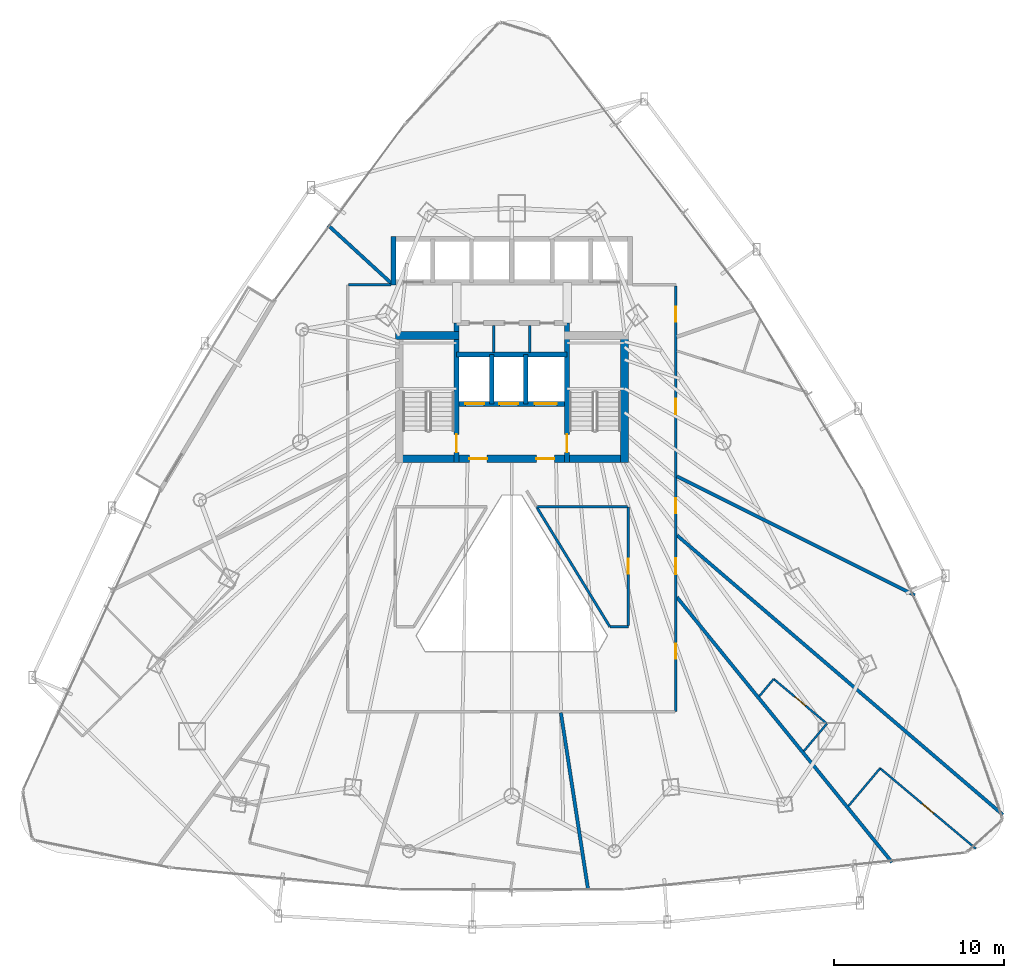
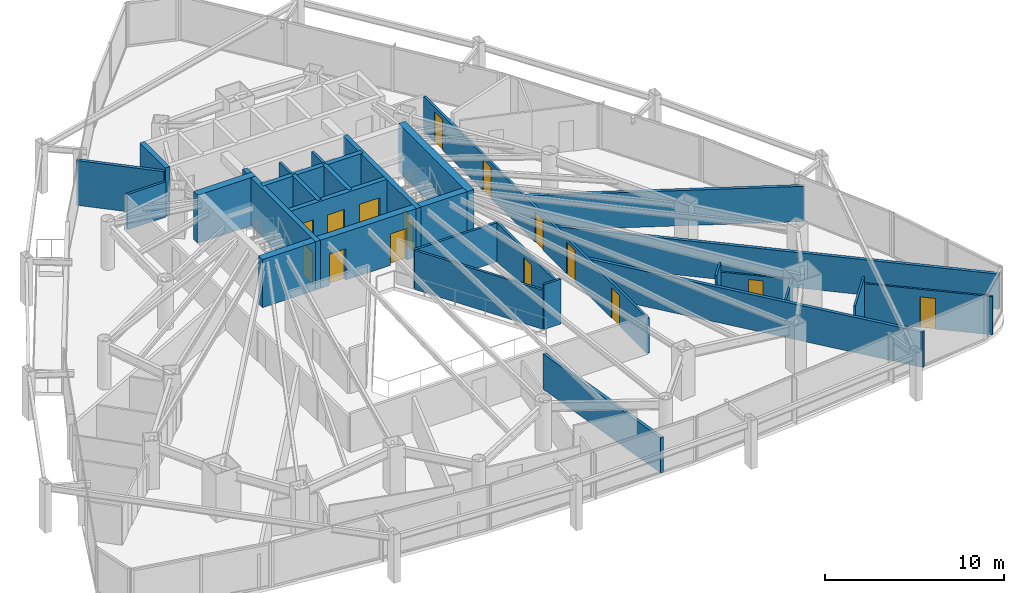
# One storey, part 30 of 35: 28 walls, 15 doors, 15 openings.
"""IFC4 building model written with IfcOpenShell, lengths in metres."""

from ifc_helpers import new_model, si_unit, direction, frame, frame_2d, origin, place, context, subcontext, project, spatial, rectangle, extrude, material, layer, layer_set, type_object, element, fill, save


model = new_model("IFC4")

# Units and contexts
model_context = context("Model", 3, precision=1e-05, world=origin(), true_north=direction((0.0, 1.0)))
body_context = subcontext(model_context, "Body", "Model", "MODEL_VIEW")
ifc_project = project(units=[si_unit("LENGTHUNIT", "METRE"), si_unit("AREAUNIT", "SQUARE_METRE"), si_unit("VOLUMEUNIT", "CUBIC_METRE"), si_unit("PLANEANGLEUNIT", "RADIAN"), si_unit("MASSUNIT", "GRAM", prefix="KILO")], contexts=[model_context])

# Site, building, storey
site_placement = place(None, origin())
site = spatial("IfcSite", under=ifc_project, at=site_placement, CompositionType="ELEMENT")
building_placement = place(site_placement, origin())
building = spatial("IfcBuilding", under=site, at=building_placement, Name="Orvanel Arch Residences", CompositionType="ELEMENT")
storey_placement = place(building_placement, frame((0.0, 0.0, 36.800048828125)))
storey = spatial("IfcBuildingStorey", under=building, at=storey_placement, Name="L09", CompositionType="ELEMENT", Elevation=36.800048828125)

# Walls
ifc_material_1 = material(Name="Concrete N50 (50 MPa)", Category="concrete")
ifc_layer_1 = layer(ifc_material_1, 0.25)
ifc_layer_set_1 = layer_set([ifc_layer_1], Name="Concrete N50 (50 MPa)")
wall_type_1 = type_object("IfcWallType", Name="SW-CORE-250", PredefinedType="SHEAR", material=ifc_layer_set_1)
for number, where, z_axis, x_axis, name in (
    (1, (31.824951171875, 29.89990234375, 0.0), (0.0, 0.0, 1.0), (0.0, 1.0, 0.0), "L09 Emergency Lift Inter-Shaft Wall F12"),
    (2, (33.824951171875, 29.89990234375, 0.0), (0.0, 0.0, 1.0), (0.0, 1.0, 0.0), "L09 Emergency Lift Inter-Shaft Wall F2G"),
):
    element("IfcWall", number, at=place(storey_placement, frame(where, z_axis=z_axis, x_axis=x_axis)), inside=storey, type_object=wall_type_1, Name=name, PredefinedType="SHEAR", context=body_context, shape_type="SweptSolid", body=[
        extrude(rectangle(XDim=2.900146484375, YDim=0.25, at=frame_2d((1.4501953125, 0.0))), origin(), (0.0, 0.0, 1.0), 3.300048828125),
    ])

# Wall, opening, door
ifc_material_2 = material(Name="Concrete S80 (80 MPa)", Category="concrete")
ifc_layer_2 = layer(ifc_material_2, 0.300048828125)
ifc_layer_set_2 = layer_set([ifc_layer_2], Name="Concrete S80 (80 MPa)")
wall_type_2 = type_object("IfcWallType", Name="SW-CORE-300", PredefinedType="SHEAR", material=ifc_layer_set_2)
wall_1_placement = place(storey_placement, frame((29.75, 26.449951171875, 0.0), z_axis=(0.0, 0.0, 1.0), x_axis=(0.0, 1.0, 0.0)))
wall_1 = element("IfcWall", 3, at=wall_1_placement, inside=storey, type_object=wall_type_2, Name="L09 West Inner Core Spine Shear Wall", PredefinedType="SHEAR", context=body_context, shape_type="SweptSolid", body=[
    extrude(rectangle(XDim=8.199951171875, YDim=0.300048828125, at=frame_2d((4.10009765625, 0.0))), origin(), (0.0, 0.0, 1.0), 3.300048828125),
])
opening_1_placement = place(wall_1_placement, frame((0.60009765625, 0.0, 0.0)))
opening_1 = element("IfcOpeningElement", 4, at=opening_1_placement, cuts=wall_1, Name="Opening DF-120", PredefinedType="OPENING", context=body_context, shape_type="SweptSolid", body=[
    extrude(rectangle(XDim=1.050048828125, YDim=2.14990234375, at=frame_2d((0.52490234375, 1.074951171875))), frame((0.0, 0.159912109375, 0.0), z_axis=(0.0, -1.0, 0.0), x_axis=(1.0, 0.0, 0.0)), (0.0, 0.0, 1.0), 0.320068359375),
])
ifc_material_3 = material(Name="Galvanised steel fire-resisting door assembly", Category="steel")
door_type_1 = type_object("IfcDoorType", Name="DR-FD120-1050", OperationType="NOTDEFINED", PredefinedType="DOOR", material=ifc_material_3)
door_1_placement = place(opening_1_placement, origin())
door_1 = element("IfcDoor", 5, at=door_1_placement, inside=storey, type_object=door_type_1, Name="DR-L09-ST1 L09 Stair 1 Fire Door", OperationType="SINGLE_SWING_LEFT", OverallHeight=2.14990234375, OverallWidth=1.050048828125, PredefinedType="DOOR", context=body_context, shape_type="SweptSolid", body=[
    extrude(rectangle(XDim=1.050048828125, YDim=2.14990234375, at=frame_2d((0.52490234375, 1.074951171875))), frame((0.0, 0.02490234375, 0.0), z_axis=(0.0, -1.0, 0.0), x_axis=(1.0, 0.0, 0.0)), (0.0, 0.0, 1.0), 0.050048828125),
])
fill(opening_1, door_1)

wall_2_placement = place(storey_placement, frame((36.25, 26.449951171875, 0.0), z_axis=(0.0, 0.0, 1.0), x_axis=(0.0, 1.0, 0.0)))
wall_2 = element("IfcWall", 6, at=wall_2_placement, inside=storey, type_object=wall_type_2, Name="L09 East Inner Core Spine Shear Wall", PredefinedType="SHEAR", context=body_context, shape_type="SweptSolid", body=[
    extrude(rectangle(XDim=8.199951171875, YDim=0.300048828125, at=frame_2d((4.10009765625, 0.0))), origin(), (0.0, 0.0, 1.0), 3.300048828125),
])
opening_2_placement = place(wall_2_placement, frame((0.60009765625, 0.0, 0.0)))
opening_2 = element("IfcOpeningElement", 7, at=opening_2_placement, cuts=wall_2, Name="Opening DF-120", PredefinedType="OPENING", context=body_context, shape_type="SweptSolid", body=[
    extrude(rectangle(XDim=1.050048828125, YDim=2.14990234375, at=frame_2d((0.52490234375, 1.074951171875))), frame((0.0, 0.159912109375, 0.0), z_axis=(0.0, -1.0, 0.0), x_axis=(1.0, 0.0, 0.0)), (0.0, 0.0, 1.0), 0.320068359375),
])
door_2_placement = place(opening_2_placement, origin())
door_2 = element("IfcDoor", 8, at=door_2_placement, inside=storey, type_object=door_type_1, Name="DR-L09-ST2 L09 Stair 2 Fire Door", OperationType="SINGLE_SWING_RIGHT", OverallHeight=2.14990234375, OverallWidth=1.050048828125, PredefinedType="DOOR", context=body_context, shape_type="SweptSolid", body=[
    extrude(rectangle(XDim=1.050048828125, YDim=2.14990234375, at=frame_2d((0.52490234375, 1.074951171875))), frame((0.0, 0.02490234375, 0.0), z_axis=(0.0, -1.0, 0.0), x_axis=(1.0, 0.0, 0.0)), (0.0, 0.0, 1.0), 0.050048828125),
])
fill(opening_2, door_2)

# Wall, openings, doors
wall_3_placement = place(storey_placement, frame((36.25, 29.89990234375, 0.0), z_axis=(0.0, 0.0, 1.0), x_axis=(-1.0, 0.0, 0.0)))
wall_3 = element("IfcWall", 9, at=wall_3_placement, inside=storey, type_object=wall_type_2, Name="L09 Emergency Lift Front Core Shear Wall", PredefinedType="SHEAR", context=body_context, shape_type="SweptSolid", body=[
    extrude(rectangle(XDim=6.5, YDim=0.300048828125, at=frame_2d((3.25, 0.0))), origin(), (0.0, 0.0, 1.0), 3.300048828125),
])
opening_3_placement = place(wall_3_placement, frame((4.875, 0.0, 0.0)))
opening_3 = element("IfcOpeningElement", 10, at=opening_3_placement, cuts=wall_3, Name="Opening LD-110", PredefinedType="OPENING", context=body_context, shape_type="SweptSolid", body=[
    extrude(rectangle(XDim=1.10009765625, YDim=2.199951171875, at=frame_2d((0.550048828125, 1.10009765625))), frame((0.0, 0.159912109375, 0.0), z_axis=(0.0, -1.0, 0.0), x_axis=(1.0, 0.0, 0.0)), (0.0, 0.0, 1.0), 0.320068359375),
])
opening_4_placement = place(wall_3_placement, frame((2.875, 0.0, 0.0)))
opening_4 = element("IfcOpeningElement", 11, at=opening_4_placement, cuts=wall_3, Name="Opening LD-110", PredefinedType="OPENING", context=body_context, shape_type="SweptSolid", body=[
    extrude(rectangle(XDim=1.10009765625, YDim=2.199951171875, at=frame_2d((0.550048828125, 1.10009765625))), frame((0.0, 0.159912109375, 0.0), z_axis=(0.0, -1.0, 0.0), x_axis=(1.0, 0.0, 0.0)), (0.0, 0.0, 1.0), 0.320068359375),
])
opening_5_placement = place(wall_3_placement, frame((0.60009765625, 0.0, 0.0)))
opening_5 = element("IfcOpeningElement", 12, at=opening_5_placement, cuts=wall_3, Name="Opening LD-130", PredefinedType="OPENING", context=body_context, shape_type="SweptSolid", body=[
    extrude(rectangle(XDim=1.300048828125, YDim=2.199951171875, at=frame_2d((0.64990234375, 1.10009765625))), frame((0.0, 0.159912109375, 0.0), z_axis=(0.0, -1.0, 0.0), x_axis=(1.0, 0.0, 0.0)), (0.0, 0.0, 1.0), 0.320068359375),
])
door_type_2 = type_object("IfcDoorType", Name="DR-LFT-1100", OperationType="NOTDEFINED", PredefinedType="DOOR", material=ifc_material_3)
door_3_placement = place(opening_3_placement, origin())
door_3 = element("IfcDoor", 13, at=door_3_placement, inside=storey, type_object=door_type_2, Name="LD-F1-L09 L09 Lift F1 Sliding Landing Door", OperationType="DOUBLE_DOOR_SLIDING", OverallHeight=2.199951171875, OverallWidth=1.10009765625, PredefinedType="DOOR", context=body_context, shape_type="SweptSolid", body=[
    extrude(rectangle(XDim=1.10009765625, YDim=2.199951171875, at=frame_2d((0.550048828125, 1.10009765625))), frame((0.0, 0.02490234375, 0.0), z_axis=(0.0, -1.0, 0.0), x_axis=(1.0, 0.0, 0.0)), (0.0, 0.0, 1.0), 0.050048828125),
])
fill(opening_3, door_3)
door_4_placement = place(opening_4_placement, origin())
door_4 = element("IfcDoor", 14, at=door_4_placement, inside=storey, type_object=door_type_2, Name="LD-F2-L09 L09 Lift F2 Sliding Landing Door", OperationType="DOUBLE_DOOR_SLIDING", OverallHeight=2.199951171875, OverallWidth=1.10009765625, PredefinedType="DOOR", context=body_context, shape_type="SweptSolid", body=[
    extrude(rectangle(XDim=1.10009765625, YDim=2.199951171875, at=frame_2d((0.550048828125, 1.10009765625))), frame((0.0, 0.02490234375, 0.0), z_axis=(0.0, -1.0, 0.0), x_axis=(1.0, 0.0, 0.0)), (0.0, 0.0, 1.0), 0.050048828125),
])
fill(opening_4, door_4)
door_type_3 = type_object("IfcDoorType", Name="DR-LFT-1300", OperationType="NOTDEFINED", PredefinedType="DOOR", material=ifc_material_3)
door_5_placement = place(opening_5_placement, origin())
door_5 = element("IfcDoor", 15, at=door_5_placement, inside=storey, type_object=door_type_3, Name="LD-G1-L09 L09 Lift G1 Sliding Landing Door", OperationType="DOUBLE_DOOR_SLIDING", OverallHeight=2.199951171875, OverallWidth=1.300048828125, PredefinedType="DOOR", context=body_context, shape_type="SweptSolid", body=[
    extrude(rectangle(XDim=1.300048828125, YDim=2.199951171875, at=frame_2d((0.64990234375, 1.10009765625))), frame((0.0, 0.02490234375, 0.0), z_axis=(0.0, -1.0, 0.0), x_axis=(1.0, 0.0, 0.0)), (0.0, 0.0, 1.0), 0.050048828125),
])
fill(opening_5, door_5)

# Walls
wall_4_placement = place(storey_placement, frame((29.75, 32.800048828125, 0.0), z_axis=(0.0, 0.0, 1.0), x_axis=(1.0, 0.0, 0.0)))
element("IfcWall", 16, at=wall_4_placement, inside=storey, type_object=wall_type_2, Name="L09 Emergency Lift Back Core Shear Wall", PredefinedType="SHEAR", context=body_context, shape_type="SweptSolid", body=[
    extrude(rectangle(XDim=6.5, YDim=0.300048828125, at=frame_2d((3.25, 0.0))), origin(), (0.0, 0.0, 1.0), 3.300048828125),
])
wall_5_placement = place(storey_placement, frame((26.050048828125, 36.89990234375, 0.0), z_axis=(0.0, 0.0, 1.0), x_axis=(0.0, 1.0, 0.0)))
element("IfcWall", 17, at=wall_5_placement, inside=storey, type_object=wall_type_2, Name="L09 Passenger Lift Bank West Shear Wall", PredefinedType="SHEAR", context=body_context, shape_type="SweptSolid", body=[
    extrude(rectangle(XDim=2.85009765625, YDim=0.300048828125, at=frame_2d((1.425048828125, 0.0))), origin(), (0.0, 0.0, 1.0), 3.300048828125),
])

# Wall, openings, doors
ifc_layer_3 = layer(ifc_material_2, 0.449951171875)
ifc_layer_set_3 = layer_set([ifc_layer_3], Name="Concrete S80 (80 MPa)")
wall_type_3 = type_object("IfcWallType", Name="SW-CORE-450", PredefinedType="SHEAR", material=ifc_layer_set_3)
wall_6_placement = place(storey_placement, frame((26.14990234375, 26.675048828125, 0.0), z_axis=(0.0, 0.0, 1.0), x_axis=(1.0, 0.0, 0.0)))
wall_6 = element("IfcWall", 18, at=wall_6_placement, inside=storey, type_object=wall_type_3, Name="L09 South Core Shear Wall", PredefinedType="SHEAR", context=body_context, shape_type="SweptSolid", body=[
    extrude(rectangle(XDim=13.7001953125, YDim=0.449951171875, at=frame_2d((6.85009765625, 0.0))), origin(), (0.0, 0.0, 1.0), 3.300048828125),
])
opening_6_placement = place(wall_6_placement, frame((4.35009765625, 0.0, 0.0)))
opening_6 = element("IfcOpeningElement", 19, at=opening_6_placement, cuts=wall_6, Name="Opening DF-060", PredefinedType="OPENING", context=body_context, shape_type="SweptSolid", body=[
    extrude(rectangle(XDim=1.050048828125, YDim=2.14990234375, at=frame_2d((0.52490234375, 1.074951171875))), frame((0.0, 0.23486328125, 0.0), z_axis=(0.0, -1.0, 0.0), x_axis=(1.0, 0.0, 0.0)), (0.0, 0.0, 1.0), 0.469970703125),
])
opening_7_placement = place(wall_6_placement, frame((8.300048828125, 0.0, 0.0)))
opening_7 = element("IfcOpeningElement", 20, at=opening_7_placement, cuts=wall_6, Name="Opening DF-060", PredefinedType="OPENING", context=body_context, shape_type="SweptSolid", body=[
    extrude(rectangle(XDim=1.050048828125, YDim=2.14990234375, at=frame_2d((0.52490234375, 1.074951171875))), frame((0.0, 0.23486328125, 0.0), z_axis=(0.0, -1.0, 0.0), x_axis=(1.0, 0.0, 0.0)), (0.0, 0.0, 1.0), 0.469970703125),
])
door_type_4 = type_object("IfcDoorType", Name="DR-FD60-1050", OperationType="NOTDEFINED", PredefinedType="DOOR", material=ifc_material_3)
door_6_placement = place(opening_6_placement, origin())
door_6 = element("IfcDoor", 21, at=door_6_placement, inside=storey, type_object=door_type_4, Name="DR-L09-FFL-W L09 West Smoke Lobby Door", OperationType="SINGLE_SWING_LEFT", OverallHeight=2.14990234375, OverallWidth=1.050048828125, PredefinedType="DOOR", context=body_context, shape_type="SweptSolid", body=[
    extrude(rectangle(XDim=1.050048828125, YDim=2.14990234375, at=frame_2d((0.52490234375, 1.074951171875))), frame((0.0, 0.02490234375, 0.0), z_axis=(0.0, -1.0, 0.0), x_axis=(1.0, 0.0, 0.0)), (0.0, 0.0, 1.0), 0.050048828125),
])
fill(opening_6, door_6)
door_7_placement = place(opening_7_placement, origin())
door_7 = element("IfcDoor", 22, at=door_7_placement, inside=storey, type_object=door_type_4, Name="DR-L09-FFL-E L09 East Smoke Lobby Door", OperationType="SINGLE_SWING_RIGHT", OverallHeight=2.14990234375, OverallWidth=1.050048828125, PredefinedType="DOOR", context=body_context, shape_type="SweptSolid", body=[
    extrude(rectangle(XDim=1.050048828125, YDim=2.14990234375, at=frame_2d((0.52490234375, 1.074951171875))), frame((0.0, 0.02490234375, 0.0), z_axis=(0.0, -1.0, 0.0), x_axis=(1.0, 0.0, 0.0)), (0.0, 0.0, 1.0), 0.050048828125),
])
fill(opening_7, door_7)

# Walls
wall_7_placement = place(storey_placement, frame((26.14990234375, 33.925048828125, 0.0), z_axis=(0.0, 0.0, 1.0), x_axis=(1.0, 0.0, 0.0)))
element("IfcWall", 23, at=wall_7_placement, inside=storey, type_object=wall_type_3, Name="L09 West Stair North Shear Wall", PredefinedType="SHEAR", context=body_context, shape_type="SweptSolid", body=[
    extrude(rectangle(XDim=3.75, YDim=0.449951171875, at=frame_2d((1.875, 0.0))), origin(), (0.0, 0.0, 1.0), 3.300048828125),
])
wall_8_placement = place(storey_placement, frame((39.625, 26.449951171875, 0.0), z_axis=(0.0, 0.0, 1.0), x_axis=(0.0, 1.0, 0.0)))
element("IfcWall", 24, at=wall_8_placement, inside=storey, type_object=wall_type_3, Name="L09 East Stair Shear Wall", PredefinedType="SHEAR", context=body_context, shape_type="SweptSolid", body=[
    extrude(rectangle(XDim=7.699951171875, YDim=0.449951171875, at=frame_2d((3.85009765625, 0.0))), origin(), (0.0, 0.0, 1.0), 3.300048828125),
])

# Wall, openings, doors
ifc_material_4 = material(Name="Fire-rated plasterboard lined steel stud partition", Category="steel")
ifc_layer_4 = layer(ifc_material_4, 0.14990234375)
ifc_layer_set_4 = layer_set([ifc_layer_4], Name="Fire-rated plasterboard lined steel stud partition")
wall_type_4 = type_object("IfcWallType", Name="W-COR-150", PredefinedType="PARTITIONING", material=ifc_layer_set_4)
wall_9_placement = place(storey_placement, frame((42.64990234375, 36.840087890625, 0.0), z_axis=(0.0, 0.0, 1.0), x_axis=(0.0, -1.0, 0.0)))
wall_9 = element("IfcWall", 25, at=wall_9_placement, inside=storey, type_object=wall_type_4, Name="L09 Corridor Fire-Rated Partition", PredefinedType="PARTITIONING", context=body_context, shape_type="SweptSolid", body=[
    extrude(rectangle(XDim=25.0400390625, YDim=0.14990234375, at=frame_2d((12.52001953125, 0.0))), origin(), (0.0, 0.0, 1.0), 2.412841796875),
])
opening_8_placement = place(wall_9_placement, frame((1.218994140625, 0.0, 0.0)))
opening_8 = element("IfcOpeningElement", 26, at=opening_8_placement, cuts=wall_9, Name="Opening DI-088", PredefinedType="OPENING", context=body_context, shape_type="SweptSolid", body=[
    extrude(rectangle(XDim=0.8798828125, YDim=2.10009765625, at=frame_2d((0.43994140625, 1.050048828125))), frame((0.0, 0.0849609375, 0.0), z_axis=(0.0, -1.0, 0.0), x_axis=(1.0, 0.0, 0.0)), (0.0, 0.0, 1.0), 0.169921875),
])
opening_9_placement = place(wall_9_placement, frame((21.047119140625, 0.0, 0.0)))
opening_9 = element("IfcOpeningElement", 27, at=opening_9_placement, cuts=wall_9, Name="Opening DI-088", PredefinedType="OPENING", context=body_context, shape_type="SweptSolid", body=[
    extrude(rectangle(XDim=0.8798828125, YDim=2.10009765625, at=frame_2d((0.43994140625, 1.050048828125))), frame((0.0, 0.0849609375, 0.0), z_axis=(0.0, -1.0, 0.0), x_axis=(1.0, 0.0, 0.0)), (0.0, 0.0, 1.0), 0.169921875),
])
opening_10_placement = place(wall_9_placement, frame((16.029052734375, 0.0, 0.0)))
opening_10 = element("IfcOpeningElement", 28, at=opening_10_placement, cuts=wall_9, Name="Opening DA-092", PredefinedType="OPENING", context=body_context, shape_type="SweptSolid", body=[
    extrude(rectangle(XDim=0.919921875, YDim=2.14990234375, at=frame_2d((0.4599609375, 1.074951171875))), frame((0.0, 0.0849609375, 0.0), z_axis=(0.0, -1.0, 0.0), x_axis=(1.0, 0.0, 0.0)), (0.0, 0.0, 1.0), 0.169921875),
])
opening_11_placement = place(wall_9_placement, frame((12.486083984375, 0.0, 0.0)))
opening_11 = element("IfcOpeningElement", 29, at=opening_11_placement, cuts=wall_9, Name="Opening DI-088", PredefinedType="OPENING", context=body_context, shape_type="SweptSolid", body=[
    extrude(rectangle(XDim=0.8798828125, YDim=2.10009765625, at=frame_2d((0.43994140625, 1.050048828125))), frame((0.0, 0.0849609375, 0.0), z_axis=(0.0, -1.0, 0.0), x_axis=(1.0, 0.0, 0.0)), (0.0, 0.0, 1.0), 0.169921875),
])
opening_12_placement = place(wall_9_placement, frame((6.637939453125, 0.0, 0.0)))
opening_12 = element("IfcOpeningElement", 30, at=opening_12_placement, cuts=wall_9, Name="Opening DA-092", PredefinedType="OPENING", context=body_context, shape_type="SweptSolid", body=[
    extrude(rectangle(XDim=0.919921875, YDim=2.14990234375, at=frame_2d((0.4599609375, 1.074951171875))), frame((0.0, 0.0849609375, 0.0), z_axis=(0.0, -1.0, 0.0), x_axis=(1.0, 0.0, 0.0)), (0.0, 0.0, 1.0), 0.169921875),
])
ifc_material_5 = material(Name="Solid-core European oak veneer fire door leaf", Category="wood")
door_type_5 = type_object("IfcDoorType", Name="DR-APT-920", OperationType="NOTDEFINED", PredefinedType="DOOR", material=ifc_material_5)
door_8_placement = place(opening_10_placement, origin())
door_8 = element("IfcDoor", 31, at=door_8_placement, inside=storey, type_object=door_type_5, Name="DR-L09-G-ENT L09 Studio G Entrance Door", OperationType="SINGLE_SWING_RIGHT", OverallHeight=2.14990234375, OverallWidth=0.919921875, PredefinedType="DOOR", context=body_context, shape_type="SweptSolid", body=[
    extrude(rectangle(XDim=0.919921875, YDim=2.14990234375, at=frame_2d((0.4599609375, 1.074951171875))), frame((0.0, 0.02490234375, 0.0), z_axis=(0.0, -1.0, 0.0), x_axis=(1.0, 0.0, 0.0)), (0.0, 0.0, 1.0), 0.050048828125),
])
fill(opening_10, door_8)
door_9_placement = place(opening_12_placement, origin())
door_9 = element("IfcDoor", 32, at=door_9_placement, inside=storey, type_object=door_type_5, Name="DR-L09-I-ENT L09 Studio I Entrance Door", OperationType="SINGLE_SWING_RIGHT", OverallHeight=2.14990234375, OverallWidth=0.919921875, PredefinedType="DOOR", context=body_context, shape_type="SweptSolid", body=[
    extrude(rectangle(XDim=0.919921875, YDim=2.14990234375, at=frame_2d((0.4599609375, 1.074951171875))), frame((0.0, 0.02490234375, 0.0), z_axis=(0.0, -1.0, 0.0), x_axis=(1.0, 0.0, 0.0)), (0.0, 0.0, 1.0), 0.050048828125),
])
fill(opening_12, door_9)
door_type_6 = type_object("IfcDoorType", Name="DR-INT-880", OperationType="NOTDEFINED", PredefinedType="DOOR", material=ifc_material_5)
door_10_placement = place(opening_8_placement, origin())
door_10 = element("IfcDoor", 33, at=door_10_placement, inside=storey, type_object=door_type_6, Name="DR-L09-SHRD-FB2 L09 Co-Working Study Office B Door", OperationType="SINGLE_SWING_LEFT", OverallHeight=2.10009765625, OverallWidth=0.8798828125, PredefinedType="DOOR", context=body_context, shape_type="SweptSolid", body=[
    extrude(rectangle(XDim=0.8798828125, YDim=2.10009765625, at=frame_2d((0.43994140625, 1.050048828125))), frame((0.0, 0.02490234375, 0.0), z_axis=(0.0, -1.0, 0.0), x_axis=(1.0, 0.0, 0.0)), (0.0, 0.0, 1.0), 0.050048828125),
])
fill(opening_8, door_10)
door_11_placement = place(opening_9_placement, origin())
door_11 = element("IfcDoor", 34, at=door_11_placement, inside=storey, type_object=door_type_6, Name="DR-L09-SHRD-FB3 L09 Co-Working Study Office C Door", OperationType="SINGLE_SWING_LEFT", OverallHeight=2.10009765625, OverallWidth=0.8798828125, PredefinedType="DOOR", context=body_context, shape_type="SweptSolid", body=[
    extrude(rectangle(XDim=0.8798828125, YDim=2.10009765625, at=frame_2d((0.43994140625, 1.050048828125))), frame((0.0, 0.02490234375, 0.0), z_axis=(0.0, -1.0, 0.0), x_axis=(1.0, 0.0, 0.0)), (0.0, 0.0, 1.0), 0.050048828125),
])
fill(opening_9, door_11)
door_12_placement = place(opening_11_placement, origin())
door_12 = element("IfcDoor", 35, at=door_12_placement, inside=storey, type_object=door_type_6, Name="DR-L09-SHRD-FB8 L09 Co-Working Study Office H Door", OperationType="SINGLE_SWING_LEFT", OverallHeight=2.10009765625, OverallWidth=0.8798828125, PredefinedType="DOOR", context=body_context, shape_type="SweptSolid", body=[
    extrude(rectangle(XDim=0.8798828125, YDim=2.10009765625, at=frame_2d((0.43994140625, 1.050048828125))), frame((0.0, 0.02490234375, 0.0), z_axis=(0.0, -1.0, 0.0), x_axis=(1.0, 0.0, 0.0)), (0.0, 0.0, 1.0), 0.050048828125),
])
fill(opening_11, door_12)

# Walls
wall_10_placement = place(storey_placement, frame((23.409912109375, 36.89990234375, 0.0), z_axis=(0.0, 0.0, 1.0), x_axis=(1.0, 0.0, 0.0)))
element("IfcWall", 36, at=wall_10_placement, inside=storey, type_object=wall_type_4, Name="L09 Corridor Fire-Rated Partition", PredefinedType="PARTITIONING", context=body_context, shape_type="SweptSolid", body=[
    extrude(rectangle(XDim=2.489990234375, YDim=0.14990234375, at=frame_2d((1.2451171875, 0.0))), origin(), (0.0, 0.0, 1.0), 2.412841796875),
])
wall_11_placement = place(storey_placement, frame((38.763916015625, 16.800048828125, 0.0), z_axis=(0.0, 0.0, 1.0), x_axis=(1.0, 0.0, 0.0)))
element("IfcWall", 37, at=wall_11_placement, inside=storey, type_object=wall_type_4, Name="L09 Corridor Fire-Rated Partition", PredefinedType="PARTITIONING", context=body_context, shape_type="SweptSolid", body=[
    extrude(rectangle(XDim=1.086181640625, YDim=0.14990234375, at=frame_2d((0.54296875, 0.0))), origin(), (0.0, 0.0, 1.0), 3.06005859375),
])

# Wall, opening, door
wall_12_placement = place(storey_placement, frame((39.85009765625, 16.860107421875, 0.0), z_axis=(0.0, 0.0, 1.0), x_axis=(0.0, 1.0, 0.0)))
wall_12 = element("IfcWall", 38, at=wall_12_placement, inside=storey, type_object=wall_type_4, Name="L09 Corridor Fire-Rated Partition", PredefinedType="PARTITIONING", context=body_context, shape_type="SweptSolid", body=[
    extrude(rectangle(XDim=6.989990234375, YDim=0.14990234375, at=frame_2d((3.4951171875, 0.0))), origin(), (0.0, 0.0, 1.0), 2.6689453125),
])
opening_13_placement = place(wall_12_placement, frame((3.054931640625, 0.0, 0.0)))
opening_13 = element("IfcOpeningElement", 39, at=opening_13_placement, cuts=wall_12, Name="Opening DI-088", PredefinedType="OPENING", context=body_context, shape_type="SweptSolid", body=[
    extrude(rectangle(XDim=0.8798828125, YDim=2.10009765625, at=frame_2d((0.43994140625, 1.050048828125))), frame((0.0, 0.0849609375, 0.0), z_axis=(0.0, -1.0, 0.0), x_axis=(1.0, 0.0, 0.0)), (0.0, 0.0, 1.0), 0.169921875),
])
door_13_placement = place(opening_13_placement, origin())
door_13 = element("IfcDoor", 40, at=door_13_placement, inside=storey, type_object=door_type_6, Name="DR-L09-SHRD-FB11 L09 Co-Working Study Office K Door", OperationType="SINGLE_SWING_LEFT", OverallHeight=2.10009765625, OverallWidth=0.8798828125, PredefinedType="DOOR", context=body_context, shape_type="SweptSolid", body=[
    extrude(rectangle(XDim=0.8798828125, YDim=2.10009765625, at=frame_2d((0.43994140625, 1.050048828125))), frame((0.0, 0.02490234375, 0.0), z_axis=(0.0, -1.0, 0.0), x_axis=(1.0, 0.0, 0.0)), (0.0, 0.0, 1.0), 0.050048828125),
])
fill(opening_13, door_13)

# Walls
wall_13_placement = place(storey_placement, frame((39.7900390625, 23.85009765625, 0.0), z_axis=(0.0, 0.0, 1.0), x_axis=(-1.0, 0.0, 0.0)))
element("IfcWall", 41, at=wall_13_placement, inside=storey, type_object=wall_type_4, Name="L09 Corridor Fire-Rated Partition", PredefinedType="PARTITIONING", context=body_context, shape_type="SweptSolid", body=[
    extrude(rectangle(XDim=5.3349609375, YDim=0.14990234375, at=frame_2d((2.66748046875, 0.0))), origin(), (0.0, 0.0, 1.0), 2.6689453125),
])
wall_14_placement = place(storey_placement, frame((34.486083984375, 23.7900390625, 0.0), z_axis=(0.0, 0.0, 1.0), x_axis=(0.521998190399, -0.852946592244, 0.0)))
element("IfcWall", 42, at=wall_14_placement, inside=storey, type_object=wall_type_4, Name="L09 Atrium Overlook Glazed Partition", PredefinedType="PARTITIONING", context=body_context, shape_type="SweptSolid", body=[
    extrude(rectangle(XDim=8.195068359375, YDim=0.14990234375, at=frame_2d((4.09765625, 0.0))), origin(), (0.0, 0.0, 1.0), 2.6689453125),
])
ifc_layer_5 = layer(ifc_material_4, 0.199951171875)
ifc_layer_set_5 = layer_set([ifc_layer_5], Name="Fire-rated plasterboard lined steel stud partition")
wall_type_5 = type_object("IfcWallType", Name="W-DEM-200", PredefinedType="PARTITIONING", material=ifc_layer_set_5)
wall_15_placement = place(storey_placement, frame((25.89990234375, 37.010009765625, 0.0), z_axis=(0.0, 0.0, 1.0), x_axis=(-0.737010798249, 0.675880968266, 0.0)))
element("IfcWall", 43, at=wall_15_placement, inside=storey, type_object=wall_type_5, Name="L09 Inter-Tenancy Acoustic Demising Wall", PredefinedType="PARTITIONING", context=body_context, shape_type="SweptSolid", body=[
    extrude(rectangle(XDim=5.020263671875, YDim=0.199951171875, at=frame_2d((2.51025390625, 0.0))), origin(), (0.0, 0.0, 1.0), 3.06005859375),
])
wall_16_placement = place(storey_placement, frame((37.490966796875, 1.31298828125, 0.0), z_axis=(0.0, 0.0, 1.0), x_axis=(-0.152133698634, 0.988359923176, 0.0)))
element("IfcWall", 44, at=wall_16_placement, inside=storey, type_object=wall_type_5, Name="L09 Inter-Tenancy Acoustic Demising Wall", PredefinedType="PARTITIONING", context=body_context, shape_type="SweptSolid", body=[
    extrude(rectangle(XDim=10.5498046875, YDim=0.199951171875, at=frame_2d((5.27490234375, 0.0))), origin(), (0.0, 0.0, 1.0), 2.412841796875),
])
wall_17_placement = place(storey_placement, frame((42.7099609375, 18.532958984375, 0.0), z_axis=(0.0, 0.0, 1.0), x_axis=(0.630093983448, -0.776518880661, 0.0)))
element("IfcWall", 45, at=wall_17_placement, inside=storey, type_object=wall_type_5, Name="L09 Inter-Tenancy Acoustic Demising Wall", PredefinedType="PARTITIONING", context=body_context, shape_type="SweptSolid", body=[
    extrude(rectangle(XDim=20.078125, YDim=0.199951171875, at=frame_2d((10.0390625, 0.0))), origin(), (0.0, 0.0, 1.0), 2.412841796875),
])
wall_18_placement = place(storey_placement, frame((42.7099609375, 22.173095703125, 0.0), z_axis=(0.0, 0.0, 1.0), x_axis=(0.759115981911, -0.650955394791, 0.0)))
element("IfcWall", 46, at=wall_18_placement, inside=storey, type_object=wall_type_5, Name="L09 Inter-Tenancy Acoustic Demising Wall", PredefinedType="PARTITIONING", context=body_context, shape_type="SweptSolid", body=[
    extrude(rectangle(XDim=25.2490234375, YDim=0.199951171875, at=frame_2d((12.62451171875, 0.0))), origin(), (0.0, 0.0, 1.0), 2.412841796875),
])
wall_19_placement = place(storey_placement, frame((42.7099609375, 25.64404296875, 0.0), z_axis=(0.0, 0.0, 1.0), x_axis=(0.894389742198, -0.447288485265, 0.0)))
element("IfcWall", 47, at=wall_19_placement, inside=storey, type_object=wall_type_5, Name="L09 Inter-Tenancy Acoustic Demising Wall", PredefinedType="PARTITIONING", context=body_context, shape_type="SweptSolid", body=[
    extrude(rectangle(XDim=15.647705078125, YDim=0.199951171875, at=frame_2d((7.82373046875, 0.0))), origin(), (0.0, 0.0, 1.0), 2.412841796875),
])
ifc_layer_6 = layer(ifc_material_4, 0.14990234375)
ifc_layer_set_6 = layer_set([ifc_layer_6], Name="Fire-rated plasterboard lined steel stud partition")
wall_type_6 = type_object("IfcWallType", Name="W-ST-150", PredefinedType="PARTITIONING", material=ifc_layer_set_6)
for number, where, z_axis, x_axis, name in (
    (48, (31.949951171875, 32.93505859375, 0.0), (0.0, 0.0, 1.0), (0.0, 1.0, 0.0), "L09 Core Service Partition 1"),
    (49, (34.050048828125, 32.93505859375, 0.0), (0.0, 0.0, 1.0), (0.0, 1.0, 0.0), "L09 Core Service Partition 2"),
):
    element("IfcWall", number, at=place(storey_placement, frame(where, z_axis=z_axis, x_axis=x_axis)), inside=storey, type_object=wall_type_6, Name=name, PredefinedType="PARTITIONING", context=body_context, shape_type="SweptSolid", body=[
        extrude(rectangle(XDim=1.579833984375, YDim=0.14990234375, at=frame_2d((0.7900390625, 0.0))), origin(), (0.0, 0.0, 1.0), 3.06005859375),
    ])
ifc_material_6 = material(Name="Acoustic plasterboard lined twin-stud partition", Category="gypsum")
ifc_layer_7 = layer(ifc_material_6, 0.1201171875)
ifc_layer_set_7 = layer_set([ifc_layer_7], Name="Acoustic plasterboard lined twin-stud partition")
wall_type_7 = type_object("IfcWallType", Name="W-WET-120", PredefinedType="PARTITIONING", material=ifc_layer_set_7)
wall_20_placement = place(storey_placement, frame((50.1689453125, 9.47607421875, 0.0), z_axis=(0.0, 0.0, 1.0), x_axis=(0.642802339764, 0.766032082875, 0.0)))
element("IfcWall", 50, at=wall_20_placement, inside=storey, type_object=wall_type_7, Name="L09 Studio G Bathroom Partition", PredefinedType="PARTITIONING", context=body_context, shape_type="SweptSolid", body=[
    extrude(rectangle(XDim=2.115966796875, YDim=0.1201171875, at=frame_2d((1.05810546875, 0.0))), origin(), (0.0, 0.0, 1.0), 2.412841796875),
])

# Wall, opening, door
wall_21_placement = place(storey_placement, frame((51.529052734375, 11.096923828125, 0.0), z_axis=(0.0, 0.0, 1.0), x_axis=(-0.766026296222, 0.642809235696, 0.0)))
wall_21 = element("IfcWall", 51, at=wall_21_placement, inside=storey, type_object=wall_type_7, Name="L09 Studio G Bathroom Partition", PredefinedType="PARTITIONING", context=body_context, shape_type="SweptSolid", body=[
    extrude(rectangle(XDim=4.083740234375, YDim=0.1201171875, at=frame_2d((2.0419921875, 0.0))), origin(), (0.0, 0.0, 1.0), 2.412841796875),
])
opening_14_placement = place(wall_21_placement, frame((1.632080078125, 0.0, 0.0)))
opening_14 = element("IfcOpeningElement", 52, at=opening_14_placement, cuts=wall_21, Name="Opening DW-082", PredefinedType="OPENING", context=body_context, shape_type="SweptSolid", body=[
    extrude(rectangle(XDim=0.820068359375, YDim=2.10009765625, at=frame_2d((0.41015625, 1.050048828125))), frame((0.0, 0.070068359375, 0.0), z_axis=(0.0, -1.0, 0.0), x_axis=(1.0, 0.0, 0.0)), (0.0, 0.0, 1.0), 0.14013671875),
])
door_type_7 = type_object("IfcDoorType", Name="DR-WET-820", OperationType="NOTDEFINED", PredefinedType="DOOR", material=ifc_material_5)
door_14_placement = place(opening_14_placement, origin())
door_14 = element("IfcDoor", 53, at=door_14_placement, inside=storey, type_object=door_type_7, Name="DR-L09-G-BATH L09 Studio G Bathroom Door", OperationType="SINGLE_SWING_RIGHT", OverallHeight=2.10009765625, OverallWidth=0.820068359375, PredefinedType="DOOR", context=body_context, shape_type="SweptSolid", body=[
    extrude(rectangle(XDim=0.820068359375, YDim=2.10009765625, at=frame_2d((0.41015625, 1.050048828125))), frame((0.0, 0.02490234375, 0.0), z_axis=(0.0, -1.0, 0.0), x_axis=(1.0, 0.0, 0.0)), (0.0, 0.0, 1.0), 0.050048828125),
])
fill(opening_14, door_14)

# Wall
wall_22_placement = place(storey_placement, frame((48.40087890625, 13.721923828125, 0.0), z_axis=(0.0, 0.0, 1.0), x_axis=(-0.642587875402, -0.76621199572, 0.0)))
element("IfcWall", 54, at=wall_22_placement, inside=storey, type_object=wall_type_7, Name="L09 Studio G Bathroom Partition", PredefinedType="PARTITIONING", context=body_context, shape_type="SweptSolid", body=[
    extrude(rectangle(XDim=1.3271484375, YDim=0.1201171875, at=frame_2d((0.66357421875, 0.0))), origin(), (0.0, 0.0, 1.0), 3.06005859375),
])

# Wall, opening, door
wall_23_placement = place(storey_placement, frame((60.287109375, 3.7451171875, 0.0), z_axis=(0.0, 0.0, 1.0), x_axis=(-0.765937745649, 0.642914745351, 0.0)))
wall_23 = element("IfcWall", 55, at=wall_23_placement, inside=storey, type_object=wall_type_7, Name="L09 Studio G Internal Partition", PredefinedType="PARTITIONING", context=body_context, shape_type="SweptSolid", body=[
    extrude(rectangle(XDim=7.3505859375, YDim=0.1201171875, at=frame_2d((3.67529296875, 0.0))), origin(), (0.0, 0.0, 1.0), 2.618896484375),
])
opening_15_placement = place(wall_23_placement, frame((3.235107421875, 0.0, 0.0)))
opening_15 = element("IfcOpeningElement", 56, at=opening_15_placement, cuts=wall_23, Name="Opening DI-088", PredefinedType="OPENING", context=body_context, shape_type="SweptSolid", body=[
    extrude(rectangle(XDim=0.8798828125, YDim=2.10009765625, at=frame_2d((0.43994140625, 1.050048828125))), frame((0.0, 0.070068359375, 0.0), z_axis=(0.0, -1.0, 0.0), x_axis=(1.0, 0.0, 0.0)), (0.0, 0.0, 1.0), 0.14013671875),
])
door_15_placement = place(opening_15_placement, origin())
door_15 = element("IfcDoor", 57, at=door_15_placement, inside=storey, type_object=door_type_6, Name="DR-L09-G-KIT L09 Studio G Kitchenette Door", OperationType="SINGLE_SWING_LEFT", OverallHeight=2.10009765625, OverallWidth=0.8798828125, PredefinedType="DOOR", context=body_context, shape_type="SweptSolid", body=[
    extrude(rectangle(XDim=0.8798828125, YDim=2.10009765625, at=frame_2d((0.43994140625, 1.050048828125))), frame((0.0, 0.02490234375, 0.0), z_axis=(0.0, -1.0, 0.0), x_axis=(1.0, 0.0, 0.0)), (0.0, 0.0, 1.0), 0.050048828125),
])
fill(opening_15, door_15)

# Wall
wall_24_placement = place(storey_placement, frame((54.656982421875, 8.470947265625, 0.0), z_axis=(0.0, 0.0, 1.0), x_axis=(-0.6429989132, -0.765867088746, 0.0)))
element("IfcWall", 58, at=wall_24_placement, inside=storey, type_object=wall_type_7, Name="L09 Studio G Internal Partition", PredefinedType="PARTITIONING", context=body_context, shape_type="SweptSolid", body=[
    extrude(rectangle(XDim=2.905029296875, YDim=0.1201171875, at=frame_2d((1.45263671875, 0.0))), origin(), (0.0, 0.0, 1.0), 3.06005859375),
])

save(model, "model.ifc")
